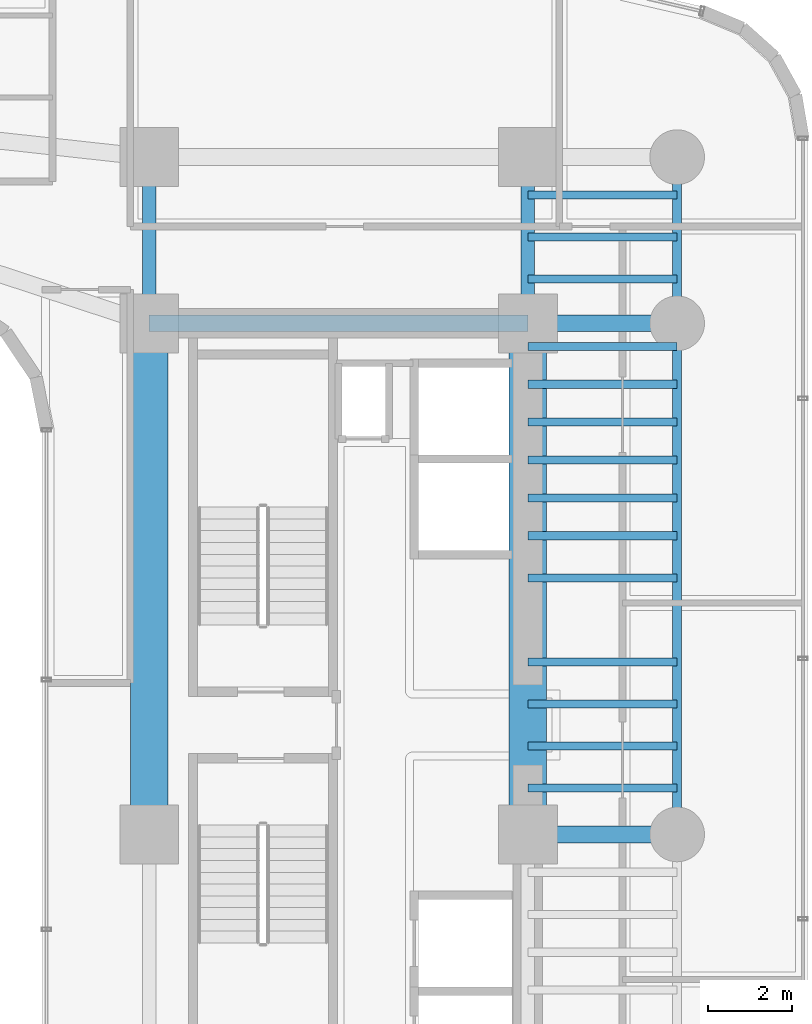
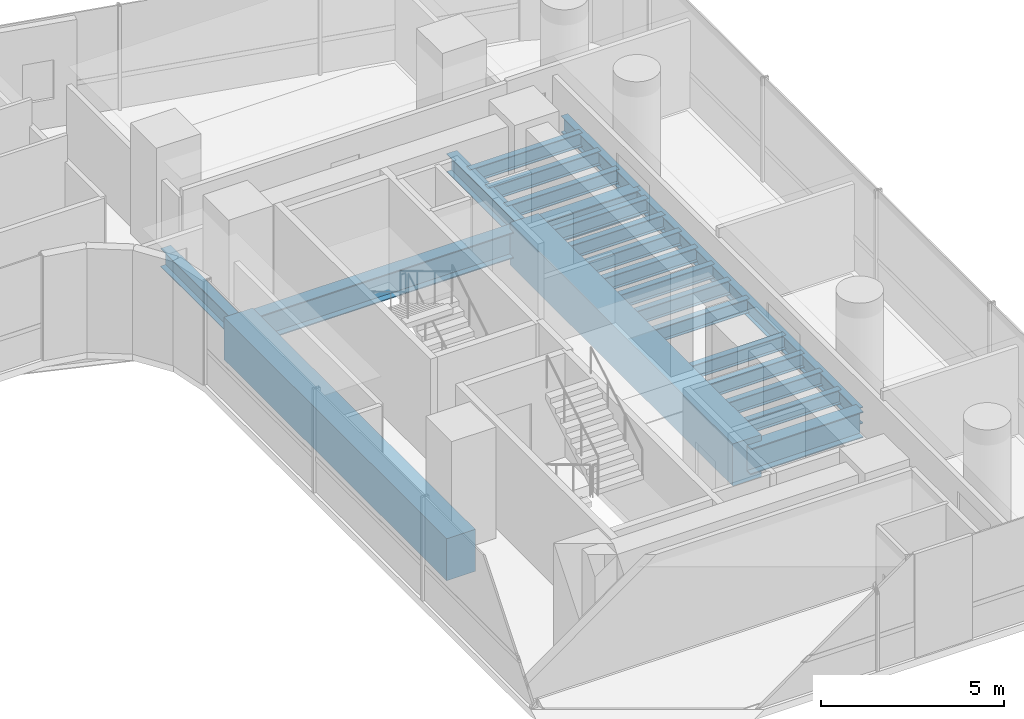
# One storey, part 18 of 42: 23 beams.
"""IFC4 building model written with IfcOpenShell, lengths in metres."""

from ifc_helpers import new_model, si_unit, direction, frame, origin, origin_2d, place, context, subcontext, project, spatial, rectangle, i_section, extrude, source, transform, mapped, material, material_profile, profile_set, type_object, element, save


model = new_model("IFC4")

# Units and contexts
model_context = context("Model", 3, precision=1e-05, world=origin(), true_north=direction((0.0, 1.0)))
body_context = subcontext(model_context, "Body", "Model", "MODEL_VIEW")
ifc_project = project(units=[si_unit("LENGTHUNIT", "METRE"), si_unit("AREAUNIT", "SQUARE_METRE"), si_unit("VOLUMEUNIT", "CUBIC_METRE"), si_unit("PLANEANGLEUNIT", "RADIAN"), si_unit("MASSUNIT", "GRAM", prefix="KILO")], contexts=[model_context])

# Site, building, storey
site_placement = place(None, origin())
site = spatial("IfcSite", under=ifc_project, at=site_placement, CompositionType="ELEMENT")
building_placement = place(site_placement, origin())
building = spatial("IfcBuilding", under=site, at=building_placement, Name="Valdorenza Pilgrim Sanctuary Tower", CompositionType="ELEMENT")
storey_placement = place(building_placement, frame((0.0, 0.0, 55.60009765625)))
storey = spatial("IfcBuildingStorey", under=building, at=storey_placement, Name="L13", CompositionType="ELEMENT", Elevation=55.60009765625)

# Beams
ifc_material_1 = material(Name="Concrete C60/75", Category="concrete")
ifc_material_profile_1 = material_profile(ifc_material_1, rectangle(XDim=0.89990234375, YDim=1.39990234375, at=origin_2d()), Name="RC 1400x900")
ifc_profile_set_1 = profile_set([ifc_material_profile_1], Name="Concrete C60/75")
beam_type_1 = type_object("IfcBeamType", Name="STR-BM-LNT-1400", PredefinedType="LINTEL", material=ifc_profile_set_1)
shared_shape_1 = source(origin(), body_context, "Body", "SweptSolid", [
    extrude(rectangle(XDim=0.89990234375, YDim=1.39990234375, at=origin_2d()), origin(), (0.0, 0.0, 1.0), 12.150146484375),
])
for number, where, z_axis, x_axis, name in (
    (1, (15.85009765625, -2.60009765625, -0.739990234375), (0.0, 1.0, 0.0), (-1.0, 0.0, 0.0), "L13 Core B West Coupling Lintel Girder"),
    (2, (24.85009765625, -2.60009765625, -0.739990234375), (0.0, 1.0, 0.0), (-1.0, 0.0, 0.0), "L13 Core B East Coupling Lintel Girder"),
):
    element("IfcBeam", number, at=place(storey_placement, frame(where, z_axis=z_axis, x_axis=x_axis)), inside=storey, type_object=beam_type_1, Name=name, PredefinedType="LINTEL", context=body_context, shape_type="MappedRepresentation", body=[
        mapped(shared_shape_1, transform((0.0, 0.0, 0.0), x_axis=(1.0, 0.0, 0.0), y_axis=(0.0, 1.0, 0.0), z_axis=(0.0, 0.0, 1.0), scale=1.0)),
    ])
ifc_material_2 = material(Name="Steel ASTM A992 Grade 50", Category="steel")
ifc_material_profile_2 = material_profile(ifc_material_2, i_section(OverallWidth=0.214111328125, OverallDepth=0.549072265625, WebThickness=0.0146484375, FlangeThickness=0.023681640625, at=origin_2d()), Name="W21X93")
ifc_profile_set_2 = profile_set([ifc_material_profile_2], Name="Steel ASTM A992 Grade 50")
beam_type_2 = type_object("IfcBeamType", Name="STR-BM-SPN-W21A", PredefinedType="SPANDREL", material=ifc_profile_set_2)
shared_shape_2 = source(origin(), body_context, "Body", "SweptSolid", [
    extrude(i_section(OverallWidth=0.214111328125, OverallDepth=0.549072265625, WebThickness=0.0146484375, FlangeThickness=0.023681640625, at=origin_2d()), origin(), (0.0, 0.0, 1.0), 12.150146484375),
])
beam_1_placement = place(storey_placement, frame((28.39990234375, -2.60009765625, -0.5146484375), z_axis=(0.0, 1.0, 0.0), x_axis=(-1.0, 0.0, 0.0)))
element("IfcBeam", 3, at=beam_1_placement, inside=storey, type_object=beam_type_2, Name="L13 Spandrel Beam WB-E-M0N1", PredefinedType="SPANDREL", context=body_context, shape_type="MappedRepresentation", body=[
    mapped(shared_shape_2, transform((0.0, 0.0, 0.0), x_axis=(1.0, 0.0, 0.0), y_axis=(0.0, 1.0, 0.0), z_axis=(0.0, 0.0, 1.0), scale=1.0)),
])
ifc_material_profile_3 = material_profile(ifc_material_2, i_section(OverallWidth=0.323974609375, OverallDepth=0.611083984375, WebThickness=0.0126953125, FlangeThickness=0.01904296875, at=origin_2d()), Name="W24X104")
ifc_profile_set_3 = profile_set([ifc_material_profile_3], Name="Steel ASTM A992 Grade 50")
beam_type_3 = type_object("IfcBeamType", Name="STR-BM-GRD-W24B", PredefinedType="BEAM", material=ifc_profile_set_3)
shared_shape_3 = source(origin(), body_context, "Body", "SweptSolid", [
    extrude(i_section(OverallWidth=0.323974609375, OverallDepth=0.611083984375, WebThickness=0.0126953125, FlangeThickness=0.01904296875, at=origin_2d()), origin(), (0.0, 0.0, 1.0), 3.949951171875),
])
for number, where, z_axis, x_axis, name in (
    (4, (15.85009765625, 9.550048828125, -0.545654296875), (0.0, 1.0, 0.0), (-1.0, 0.0, 0.0), "L13 Core Tie Girder CB-W-N1N2"),
    (5, (24.85009765625, 9.550048828125, -0.545654296875), (0.0, 1.0, 0.0), (-1.0, 0.0, 0.0), "L13 Core Tie Girder CB-E-N1N2"),
):
    element("IfcBeam", number, at=place(storey_placement, frame(where, z_axis=z_axis, x_axis=x_axis)), inside=storey, type_object=beam_type_3, Name=name, PredefinedType="BEAM", context=body_context, shape_type="MappedRepresentation", body=[
        mapped(shared_shape_3, transform((0.0, 0.0, 0.0), x_axis=(1.0, 0.0, 0.0), y_axis=(0.0, 1.0, 0.0), z_axis=(0.0, 0.0, 1.0), scale=1.0)),
    ])
shared_shape_4 = source(origin(), body_context, "Body", "SweptSolid", [
    extrude(i_section(OverallWidth=0.214111328125, OverallDepth=0.549072265625, WebThickness=0.0146484375, FlangeThickness=0.023681640625, at=origin_2d()), origin(), (0.0, 0.0, 1.0), 3.949951171875),
])
beam_2_placement = place(storey_placement, frame((28.39990234375, 9.550048828125, -0.5146484375), z_axis=(0.0, 1.0, 0.0), x_axis=(-1.0, 0.0, 0.0)))
element("IfcBeam", 6, at=beam_2_placement, inside=storey, type_object=beam_type_2, Name="L13 Spandrel Beam WB-E-N1N2", PredefinedType="SPANDREL", context=body_context, shape_type="MappedRepresentation", body=[
    mapped(shared_shape_4, transform((0.0, 0.0, 0.0), x_axis=(1.0, 0.0, 0.0), y_axis=(0.0, 1.0, 0.0), z_axis=(0.0, 0.0, 1.0), scale=1.0)),
])
ifc_material_profile_4 = material_profile(ifc_material_2, i_section(OverallWidth=0.193115234375, OverallDepth=0.466064453125, WebThickness=0.011474609375, FlangeThickness=0.01904296875, at=origin_2d()), Name="W18X65")
ifc_profile_set_4 = profile_set([ifc_material_profile_4], Name="Steel ASTM A992 Grade 50")
beam_type_4 = type_object("IfcBeamType", Name="STR-BM-JST-W18A", PredefinedType="JOIST", material=ifc_profile_set_4)
shared_shape_5 = source(origin(), body_context, "Body", "SweptSolid", [
    extrude(i_section(OverallWidth=0.193115234375, OverallDepth=0.466064453125, WebThickness=0.011474609375, FlangeThickness=0.01904296875, at=origin_2d()), origin(), (0.0, 0.0, 1.0), 3.5498046875),
])
for number, where, z_axis, x_axis, name in (
    (7, (24.85009765625, -1.5, -0.47314453125), (1.0, 0.0, 0.0), (0.0, 1.0, 0.0), "L13 Composite Floor Joist JST-WB-8"),
    (8, (24.85009765625, -0.5, -0.47314453125), (1.0, 0.0, 0.0), (0.0, 1.0, 0.0), "L13 Composite Floor Joist JST-WB-9"),
    (9, (24.85009765625, 0.5, -0.47314453125), (1.0, 0.0, 0.0), (0.0, 1.0, 0.0), "L13 Composite Floor Joist JST-WB-10"),
    (10, (24.85009765625, 1.5, -0.47314453125), (1.0, 0.0, 0.0), (0.0, 1.0, 0.0), "L13 Composite Floor Joist JST-WB-11"),
    (11, (24.85009765625, 3.5, -0.47314453125), (1.0, 0.0, 0.0), (0.0, 1.0, 0.0), "L13 Composite Floor Joist JST-WB-12"),
    (12, (24.85009765625, 4.5, -0.47314453125), (1.0, 0.0, 0.0), (0.0, 1.0, 0.0), "L13 Composite Floor Joist JST-WB-13"),
    (13, (24.85009765625, 5.39990234375, -0.47314453125), (1.0, 0.0, 0.0), (0.0, 1.0, 0.0), "L13 Composite Floor Joist JST-WB-14"),
    (14, (24.85009765625, 6.300048828125, -0.47314453125), (1.0, 0.0, 0.0), (0.0, 1.0, 0.0), "L13 Composite Floor Joist JST-WB-15"),
    (15, (24.85009765625, 7.199951171875, -0.47314453125), (1.0, 0.0, 0.0), (0.0, 1.0, 0.0), "L13 Composite Floor Joist JST-WB-16"),
    (16, (24.85009765625, 8.10009765625, -0.47314453125), (1.0, 0.0, 0.0), (0.0, 1.0, 0.0), "L13 Composite Floor Joist JST-WB-17"),
    (17, (24.85009765625, 9.0, -0.47314453125), (1.0, 0.0, 0.0), (0.0, 1.0, 0.0), "L13 Composite Floor Joist JST-WB-18"),
    (18, (24.85009765625, 10.60009765625, -0.47314453125), (1.0, 0.0, 0.0), (0.0, 1.0, 0.0), "L13 Composite Floor Joist JST-WB-19"),
    (19, (24.85009765625, 11.60009765625, -0.47314453125), (1.0, 0.0, 0.0), (0.0, 1.0, 0.0), "L13 Composite Floor Joist JST-WB-20"),
    (20, (24.85009765625, 12.60009765625, -0.47314453125), (1.0, 0.0, 0.0), (0.0, 1.0, 0.0), "L13 Composite Floor Joist JST-WB-21"),
):
    element("IfcBeam", number, at=place(storey_placement, frame(where, z_axis=z_axis, x_axis=x_axis)), inside=storey, type_object=beam_type_4, Name=name, PredefinedType="JOIST", context=body_context, shape_type="MappedRepresentation", body=[
        mapped(shared_shape_5, transform((0.0, 0.0, 0.0), x_axis=(1.0, 0.0, 0.0), y_axis=(0.0, 1.0, 0.0), z_axis=(0.0, 0.0, 1.0), scale=1.0)),
    ])
ifc_material_profile_5 = material_profile(ifc_material_2, i_section(OverallWidth=0.39990234375, OverallDepth=0.862060546875, WebThickness=0.019775390625, FlangeThickness=0.032470703125, at=origin_2d()), Name="W33X221")
ifc_profile_set_5 = profile_set([ifc_material_profile_5], Name="Steel ASTM A992 Grade 50")
beam_type_5 = type_object("IfcBeamType", Name="STR-BM-GRD-W33", PredefinedType="BEAM", material=ifc_profile_set_5)
shared_shape_6 = source(origin(), body_context, "Body", "SweptSolid", [
    extrude(i_section(OverallWidth=0.39990234375, OverallDepth=0.862060546875, WebThickness=0.019775390625, FlangeThickness=0.032470703125, at=origin_2d()), origin(), (0.0, 0.0, 1.0), 9.0),
])
beam_3_placement = place(storey_placement, frame((15.85009765625, 9.550048828125, -0.671142578125), z_axis=(1.0, 0.0, 0.0), x_axis=(0.0, 1.0, 0.0)))
element("IfcBeam", 21, at=beam_3_placement, inside=storey, type_object=beam_type_5, Name="L13 Floor Girder CB-XC-N1", PredefinedType="BEAM", context=body_context, shape_type="MappedRepresentation", body=[
    mapped(shared_shape_6, transform((0.0, 0.0, 0.0), x_axis=(1.0, 0.0, 0.0), y_axis=(0.0, 1.0, 0.0), z_axis=(0.0, 0.0, 1.0), scale=1.0)),
])
shared_shape_7 = source(origin(), body_context, "Body", "SweptSolid", [
    extrude(i_section(OverallWidth=0.39990234375, OverallDepth=0.862060546875, WebThickness=0.019775390625, FlangeThickness=0.032470703125, at=origin_2d()), origin(), (0.0, 0.0, 1.0), 3.5498046875),
])
for number, where, z_axis, x_axis, name in (
    (22, (24.85009765625, -2.60009765625, -0.671142578125), (1.0, 0.0, 0.0), (0.0, 1.0, 0.0), "L13 Floor Girder WB-XE-M0"),
    (23, (24.85009765625, 9.550048828125, -0.671142578125), (1.0, 0.0, 0.0), (0.0, 1.0, 0.0), "L13 Floor Girder WB-XE-N1"),
):
    element("IfcBeam", number, at=place(storey_placement, frame(where, z_axis=z_axis, x_axis=x_axis)), inside=storey, type_object=beam_type_5, Name=name, PredefinedType="BEAM", context=body_context, shape_type="MappedRepresentation", body=[
        mapped(shared_shape_7, transform((0.0, 0.0, 0.0), x_axis=(1.0, 0.0, 0.0), y_axis=(0.0, 1.0, 0.0), z_axis=(0.0, 0.0, 1.0), scale=1.0)),
    ])

save(model, "model.ifc")
